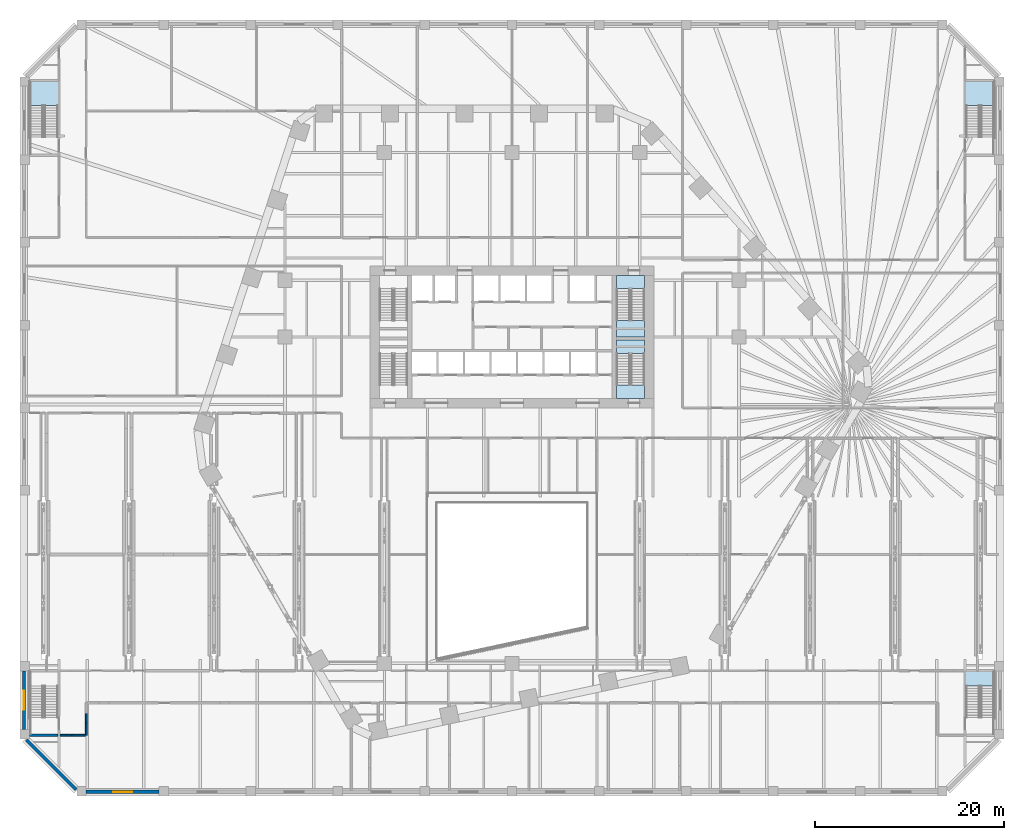
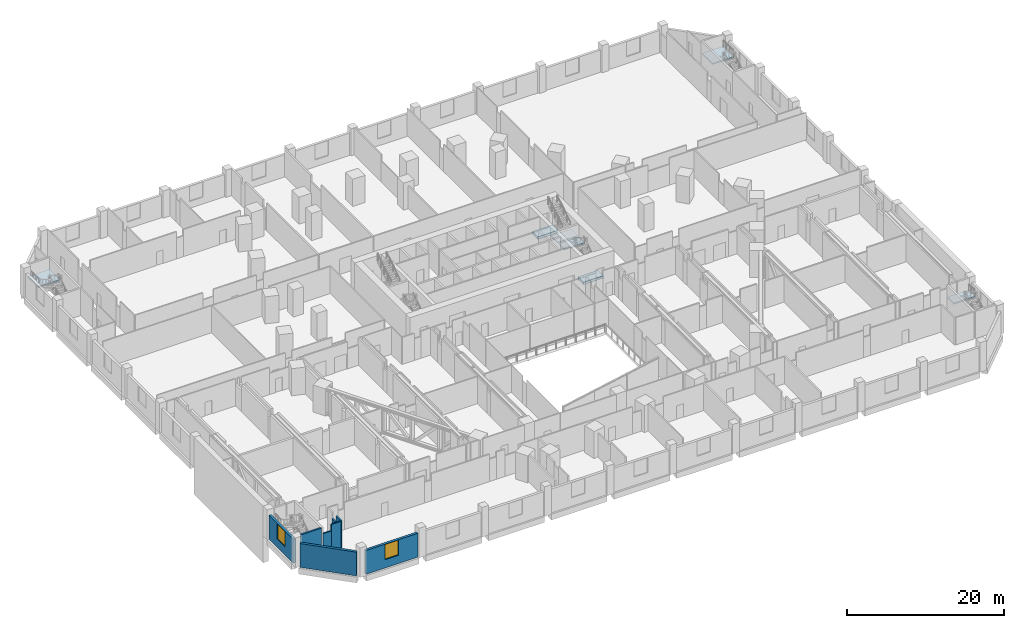
# One storey, part 12 of 32: 8 walls, 7 slabs, 2 windows, 2 openings, 5 elements without a shape of their own.
"""IFC4 building model written with IfcOpenShell, lengths in metres."""

import ifcopenshell
import ifcopenshell.guid

model = None  # the IFC model being written
_history = None  # IfcOwnerHistory: only IFC2X3 demands one
_inside = {}  # id of a spatial element -> (the spatial element, [elements in it])
_under = {}  # id of a project, library or spatial element -> (it, [spatial elements below it])
_declared = {}  # id of a project -> (the project, [libraries it declares])
_typed = {}  # id of a type object -> (the type object, [elements of that type])
_made_of = {}  # id of a material, layer set ... -> (it, [elements and type objects made of it])


def new_model(schema):
    """Start an empty IFC model of exactly this schema.

    Asked for "IFC4X3", IfcOpenShell would pick the latest addendum, in which some entities
    have other attributes; the version numbers below select the first issue.
    IFC2X3 requires an IfcOwnerHistory on every rooted entity: one is made here for all.
    """
    global model, _history
    if schema == "IFC4X3":
        model = ifcopenshell.file(schema_version=(4, 3, 0, 0))
    else:
        model = ifcopenshell.file(schema=schema)
    _inside.clear()
    _under.clear()
    _declared.clear()
    _typed.clear()
    _made_of.clear()
    _history = None
    if model.schema == "IFC2X3":
        org = make("IfcOrganization", Name="unknown")
        user = make(
            "IfcPersonAndOrganization",
            ThePerson=make("IfcPerson", FamilyName="unknown"),
            TheOrganization=org,
        )
        app = make(
            "IfcApplication",
            ApplicationDeveloper=org,
            Version="unknown",
            ApplicationFullName="unknown",
            ApplicationIdentifier="unknown",
        )
        _history = make(
            "IfcOwnerHistory",
            OwningUser=user,
            OwningApplication=app,
            ChangeAction="ADDED",
            CreationDate=0,
        )
    return model


def make(cls, **values):
    """One entity of the class cls with the attributes given. An attribute that is None is left unset."""
    return model.create_entity(
        cls, **{name: value for name, value in values.items() if value is not None}
    )


def rooted(cls, **values):
    """An entity with a GlobalId (a new one), such as an element, a storey or a relation."""
    return make(cls, GlobalId=ifcopenshell.guid.new(), OwnerHistory=_history, **values)


def si_unit(unit_type, name, prefix=None):
    """IfcSIUnit, for example si_unit("LENGTHUNIT", "METRE", prefix="MILLI")."""
    return make("IfcSIUnit", UnitType=unit_type, Prefix=prefix, Name=name)


def assignment(units):
    """IfcUnitAssignment: the units of a project."""
    return None if units is None else make("IfcUnitAssignment", Units=units)


def point(xyz):
    """IfcCartesianPoint."""
    return None if xyz is None else make("IfcCartesianPoint", Coordinates=xyz)


def direction(xyz):
    """IfcDirection."""
    return None if xyz is None else make("IfcDirection", DirectionRatios=xyz)


def frame(location, z_axis=None, x_axis=None):
    """IfcAxis2Placement3D, a coordinate frame: its origin and axes. An axis left out is left unset."""
    return make(
        "IfcAxis2Placement3D",
        Location=point(location),
        Axis=direction(z_axis),
        RefDirection=direction(x_axis),
    )


def frame_2d(location, x_axis=None):
    """IfcAxis2Placement2D, a coordinate frame in the plane: its origin and x axis."""
    return make(
        "IfcAxis2Placement2D", Location=point(location), RefDirection=direction(x_axis)
    )


def origin():
    """The frame at (0, 0, 0) with its axes left unset."""
    return frame((0.0, 0.0, 0.0))


def place(relative_to, where):
    """IfcLocalPlacement: puts the frame where relative to a parent placement (None: the world)."""
    return make(
        "IfcLocalPlacement", PlacementRelTo=relative_to, RelativePlacement=where
    )


def context(
    kind, dimensions, precision=None, world=None, true_north=None, identifier=None
):
    """IfcGeometricRepresentationContext, for example the 3D "Model" context."""
    return make(
        "IfcGeometricRepresentationContext",
        ContextIdentifier=identifier,
        ContextType=kind,
        CoordinateSpaceDimension=dimensions,
        Precision=precision,
        WorldCoordinateSystem=world,
        TrueNorth=true_north,
    )


def subcontext(parent, identifier, kind, view, scale=None):
    """IfcGeometricRepresentationSubContext, for example "Body" below "Model"."""
    return make(
        "IfcGeometricRepresentationSubContext",
        ContextIdentifier=identifier,
        ContextType=kind,
        ParentContext=parent,
        TargetScale=scale,
        TargetView=view,
    )


def project(units=None, contexts=None):
    """IfcProject with its units and contexts."""
    return rooted(
        "IfcProject",
        Name="project",
        RepresentationContexts=contexts,
        UnitsInContext=assignment(units),
    )


def spatial(cls, under=None, at=None, **own):
    """A site, building, storey or space (cls), placed at a placement, below another one or the project."""
    s = rooted(cls, ObjectPlacement=at, **own)
    if under is not None:
        _under.setdefault(under.id(), (under, []))[1].append(s)
    return s


def polyline(points):
    """IfcPolyline through the points."""
    return make("IfcPolyline", Points=[point(p) for p in points])


def profile(cls, at=None, kind="AREA", **sizes):
    """A parametric profile (cls). Its sizes go by their IFC names, for example OverallWidth=200.0."""
    return make(cls, ProfileType=kind, Position=at, **sizes)


def rectangle(**sizes):
    """IfcRectangleProfileDef."""
    return profile("IfcRectangleProfileDef", **sizes)


def outline(outer, holes=None, kind="AREA"):
    """IfcArbitraryClosedProfileDef: a profile drawn as a closed curve; with holes, ...WithVoids."""
    if holes is None:
        return make("IfcArbitraryClosedProfileDef", ProfileType=kind, OuterCurve=outer)
    return make(
        "IfcArbitraryProfileDefWithVoids",
        ProfileType=kind,
        OuterCurve=outer,
        InnerCurves=holes,
    )


def extrude(swept, where, along, depth):
    """IfcExtrudedAreaSolid: the profile swept, set in the frame where, extruded along a direction by depth."""
    return make(
        "IfcExtrudedAreaSolid",
        SweptArea=swept,
        Position=where,
        ExtrudedDirection=direction(along),
        Depth=depth,
    )


def shape(context_of_items, identifier, shape_type, items):
    """IfcShapeRepresentation: the items that make up one representation, for example the "Body"."""
    return make(
        "IfcShapeRepresentation",
        ContextOfItems=context_of_items,
        RepresentationIdentifier=identifier,
        RepresentationType=shape_type,
        Items=items,
    )


def material(Name=None, Category=None):
    """IfcMaterial."""
    return make("IfcMaterial", Name=Name, Category=Category)


def layer(
    of_material, thickness, ventilated=None, Name=None, Category=None, Priority=None
):
    """IfcMaterialLayer: one layer of a wall or slab, of a material (None: an air gap)."""
    return make(
        "IfcMaterialLayer",
        Material=of_material,
        LayerThickness=thickness,
        IsVentilated=ventilated,
        Name=Name,
        Category=Category,
        Priority=Priority,
    )


def layer_set(layers, Name=None):
    """IfcMaterialLayerSet."""
    return make("IfcMaterialLayerSet", MaterialLayers=layers, LayerSetName=Name)


def made_of(thing, what):
    """Note that an element or type object is made of a material, layer set ...; save() writes the relation."""
    if what is not None:
        _made_of.setdefault(what.id(), (what, []))[1].append(thing)
    return thing


def type_object(cls, material=None, **own):
    """A type object (cls), such as IfcWallType, which elements share."""
    return made_of(rooted(cls, **own), material)


def element(
    cls,
    number,
    at=None,
    inside=None,
    cuts=None,
    type_object=None,
    material=None,
    context=None,
    identifier="Body",
    shape_type=None,
    held_by="IfcProductDefinitionShape",
    body=None,
    shapes=None,
    **own,
):
    """One element of the class cls, such as IfcWall. Its Tag is "e" and its number.

    at: its placement. inside: the storey or other place that contains it. cuts: it is an
    opening in that element (IfcRelVoidsElement). A single representation is given by context,
    identifier, shape_type and body (its items); several are given by shapes. held_by: the class
    of the entity that holds the representations. save() writes the other relations.
    """
    e = rooted(cls, Tag="e%d" % number, ObjectPlacement=at, **own)
    if body is not None:
        shapes = [shape(context, identifier, shape_type, body)]
    if shapes is not None:
        e.Representation = make(held_by, Representations=shapes)
    if inside is not None:
        _inside.setdefault(inside.id(), (inside, []))[1].append(e)
    if cuts is not None:
        rooted(
            "IfcRelVoidsElement", RelatingBuildingElement=cuts, RelatedOpeningElement=e
        )
    if type_object is not None:
        _typed.setdefault(type_object.id(), (type_object, []))[1].append(e)
    return made_of(e, material)


def fill(opening, filler):
    """IfcRelFillsElement: the door or window that sits in an opening."""
    return rooted(
        "IfcRelFillsElement",
        RelatingOpeningElement=opening,
        RelatedBuildingElement=filler,
    )


def aggregate(whole, parts):
    """IfcRelAggregates: a whole, such as a stair, and the parts it consists of."""
    return rooted("IfcRelAggregates", RelatingObject=whole, RelatedObjects=parts)


def save(model, path):
    """Write the relations noted so far, then the file.

    IfcRelAggregates (storeys below a building ...), IfcRelContainedInSpatialStructure (elements
    in a storey), IfcRelDefinesByType, IfcRelAssociatesMaterial and IfcRelDeclares: one each for
    every whole, place, type object, material and project.
    """
    for whole, parts in _under.values():
        aggregate(whole, parts)
    for where, things in _inside.values():
        rooted(
            "IfcRelContainedInSpatialStructure",
            RelatedElements=things,
            RelatingStructure=where,
        )
    for kind, things in _typed.values():
        rooted("IfcRelDefinesByType", RelatedObjects=things, RelatingType=kind)
    for what, things in _made_of.values():
        rooted("IfcRelAssociatesMaterial", RelatedObjects=things, RelatingMaterial=what)
    for by, libraries in _declared.values():
        rooted("IfcRelDeclares", RelatingContext=by, RelatedDefinitions=libraries)
    model.write(path)


model = new_model("IFC4")

# Units and contexts
model_context = context("Model", 3, precision=1e-05, world=origin(), true_north=direction((0.0, 1.0)))
body_context = subcontext(model_context, "Body", "Model", "MODEL_VIEW")
ifc_project = project(units=[si_unit("LENGTHUNIT", "METRE"), si_unit("AREAUNIT", "SQUARE_METRE"), si_unit("VOLUMEUNIT", "CUBIC_METRE"), si_unit("PLANEANGLEUNIT", "RADIAN"), si_unit("MASSUNIT", "GRAM", prefix="KILO")], contexts=[model_context])

# Site, building, storey
site_placement = place(None, origin())
site = spatial("IfcSite", under=ifc_project, at=site_placement, CompositionType="ELEMENT")
building_placement = place(site_placement, origin())
building = spatial("IfcBuilding", under=site, at=building_placement, Name="Isthmus Gate Tower", CompositionType="ELEMENT")
storey_placement = place(building_placement, frame((0.0, 0.0, 18.0)))
storey = spatial("IfcBuildingStorey", under=building, at=storey_placement, Name="L02", CompositionType="ELEMENT", Elevation=18.0)

# Slabs
ifc_material_1 = material(Name="Concrete f'c 40 MPa", Category="concrete")
ifc_layer_1 = layer(ifc_material_1, 0.39990234375)
ifc_layer_set_1 = layer_set([ifc_layer_1], Name="CORE FLOOR SLAB 400")
slab_type_1 = type_object("IfcSlabType", Name="CORE FLOOR SLAB 400", PredefinedType="FLOOR", material=ifc_layer_set_1)
slab_1_placement = place(storey_placement, frame((0.0, 0.0, -0.39990234375)))
element("IfcSlab", 1, at=slab_1_placement, inside=storey, type_object=slab_type_1, Name="L02 core floor", PredefinedType="FLOOR", context=body_context, shape_type="SweptSolid", body=[
    extrude(outline(polyline([(14.0, 1.0), (14.0, 2.402099609375), (11.050048828125, 2.402099609375), (11.050048828125, 1.0), (14.0, 1.0)])), origin(), (0.0, 0.0, 1.0), 0.39990234375),
])
slab_2_placement = place(storey_placement, frame((0.0, 0.0, -0.39990234375)))
element("IfcSlab", 2, at=slab_2_placement, inside=storey, type_object=slab_type_1, Name="L02 core floor", PredefinedType="FLOOR", context=body_context, shape_type="SweptSolid", body=[
    extrude(outline(polyline([(11.050048828125, 14.0), (11.050048828125, 12.597900390625), (14.0, 12.597900390625), (14.0, 14.0), (11.050048828125, 14.0)])), origin(), (0.0, 0.0, 1.0), 0.39990234375),
])

# Stair, slab
ifc_material_2 = material(Name="Concrete f'c 40 MPa", Category="concrete")
stair_type_1 = type_object("IfcStairType", Name="Podium exit stair 1400 wide flights", PredefinedType="HALF_TURN_STAIR", material=ifc_material_2)
stair_1_placement = place(storey_placement, origin())
stair_1 = element("IfcStair", 3, at=stair_1_placement, inside=storey, type_object=stair_type_1, Name="L02 Podium Exit Stair ST4", PredefinedType="HALF_TURN_STAIR")
ifc_material_3 = material(Name="Concrete f'c 40 MPa", Category="concrete")
ifc_layer_2 = layer(ifc_material_3, 0.199951171875)
ifc_layer_set_2 = layer_set([ifc_layer_2], Name="Podium stair landing 200")
slab_type_2 = type_object("IfcSlabType", Name="Podium stair landing 200", PredefinedType="LANDING", material=ifc_layer_set_2)
slab_3_placement = place(storey_placement, frame((0.0, 0.0, 2.050048828125)))
slab_3 = element("IfcSlab", 4, at=slab_3_placement, type_object=slab_type_2, Name="ST4 landing 1", PredefinedType="LANDING", context=body_context, shape_type="SweptSolid", body=[
    extrude(outline(polyline([(51.050048828125, -29.364990234375), (51.050048828125, -27.72900390625), (47.89990234375, -27.72900390625), (47.89990234375, -29.364990234375), (51.050048828125, -29.364990234375)])), origin(), (0.0, 0.0, 1.0), 0.199951171875),
])
aggregate(stair_1, [slab_3])

stair_2_placement = place(storey_placement, origin())
stair_2 = element("IfcStair", 5, at=stair_2_placement, inside=storey, type_object=stair_type_1, Name="L02 Podium Exit Stair ST5", PredefinedType="HALF_TURN_STAIR")
slab_4_placement = place(storey_placement, frame((0.0, 0.0, 2.050048828125)))
slab_4 = element("IfcSlab", 6, at=slab_4_placement, type_object=slab_type_2, Name="ST5 landing 1", PredefinedType="LANDING", context=body_context, shape_type="SweptSolid", body=[
    extrude(outline(polyline([(51.050048828125, 31.985107421875), (51.050048828125, 34.625), (47.89990234375, 34.625), (47.89990234375, 31.985107421875), (51.050048828125, 31.985107421875)])), origin(), (0.0, 0.0, 1.0), 0.199951171875),
])
aggregate(stair_2, [slab_4])

stair_3_placement = place(storey_placement, origin())
stair_3 = element("IfcStair", 7, at=stair_3_placement, inside=storey, type_object=stair_type_1, Name="L02 Podium Exit Stair ST6", PredefinedType="HALF_TURN_STAIR")
slab_5_placement = place(storey_placement, frame((0.0, 0.0, 2.050048828125)))
slab_5 = element("IfcSlab", 8, at=slab_5_placement, type_object=slab_type_2, Name="ST6 landing 1", PredefinedType="LANDING", context=body_context, shape_type="SweptSolid", body=[
    extrude(outline(polyline([(-47.89990234375, 31.985107421875), (-47.89990234375, 34.625), (-51.050048828125, 34.625), (-51.050048828125, 31.985107421875), (-47.89990234375, 31.985107421875)])), origin(), (0.0, 0.0, 1.0), 0.199951171875),
])
aggregate(stair_3, [slab_5])

ifc_material_4 = material(Name="Concrete f'c 40 MPa", Category="concrete")
stair_type_2 = type_object("IfcStairType", Name="CORE STAIR 26 RISERS", PredefinedType="HALF_TURN_STAIR", material=ifc_material_4)
stair_4_placement = place(storey_placement, origin())
stair_4 = element("IfcStair", 9, at=stair_4_placement, inside=storey, type_object=stair_type_2, Name="L02 Exit Stair 2", PredefinedType="HALF_TURN_STAIR")
ifc_material_5 = material(Name="Concrete f'c 40 MPa", Category="concrete")
ifc_layer_3 = layer(ifc_material_5, 0.199951171875)
ifc_layer_set_3 = layer_set([ifc_layer_3])
slab_type_3 = type_object("IfcSlabType", Name="STAIR LANDING RC 200", PredefinedType="LANDING", material=ifc_layer_set_3)
slab_6_placement = place(storey_placement, frame((0.0, 0.0, 2.050048828125)))
slab_6 = element("IfcSlab", 10, at=slab_6_placement, type_object=slab_type_3, Name="ST2 landing 1", PredefinedType="LANDING", context=body_context, shape_type="SweptSolid", body=[
    extrude(outline(polyline([(11.050048828125, 9.239990234375), (11.050048828125, 7.5), (14.0, 7.5), (14.0, 9.239990234375), (11.050048828125, 9.239990234375)])), origin(), (0.0, 0.0, 1.0), 0.199951171875),
])
aggregate(stair_4, [slab_6])

stair_5_placement = place(storey_placement, origin())
stair_5 = element("IfcStair", 11, at=stair_5_placement, inside=storey, type_object=stair_type_2, Name="L02 Exit Stair 8", PredefinedType="HALF_TURN_STAIR")
slab_7_placement = place(storey_placement, frame((0.0, 0.0, 2.050048828125)))
slab_7 = element("IfcSlab", 12, at=slab_7_placement, type_object=slab_type_3, Name="ST8 landing 1", PredefinedType="LANDING", context=body_context, shape_type="SweptSolid", body=[
    extrude(outline(polyline([(14.0, 5.760009765625), (14.0, 7.199951171875), (11.050048828125, 7.199951171875), (11.050048828125, 5.760009765625), (14.0, 5.760009765625)])), origin(), (0.0, 0.0, 1.0), 0.199951171875),
])
aggregate(stair_5, [slab_7])

# Walls
ifc_material_6 = material(Name="Concrete f'c 30 MPa", Category="concrete")
ifc_layer_4 = layer(ifc_material_6, 0.199951171875)
ifc_layer_set_4 = layer_set([ifc_layer_4], Name="Fire-rated block wall 200")
wall_type_1 = type_object("IfcWallType", Name="Fire-rated block wall 200", PredefinedType="PARTITIONING", material=ifc_layer_set_4)
wall_1_placement = place(storey_placement, frame((-47.75, -34.60009765625, 0.0), z_axis=(0.0, 0.0, 1.0), x_axis=(1.0, 0.0, 0.0)))
element("IfcWall", 13, at=wall_1_placement, inside=storey, type_object=wall_type_1, Name="Fire-rated wall", PredefinedType="PARTITIONING", context=body_context, shape_type="SweptSolid", body=[
    extrude(rectangle(XDim=1.21337890625, YDim=0.199951171875, at=frame_2d((0.606689453125, 0.0))), origin(), (0.0, 0.0, 1.0), 3.218994140625),
])
wall_2_placement = place(storey_placement, frame((-46.53662109375, -34.60009765625, 0.0), z_axis=(0.0, 0.0, 1.0), x_axis=(1.0, 0.0, 0.0)))
element("IfcWall", 14, at=wall_2_placement, inside=storey, type_object=wall_type_1, Name="Fire-rated wall", PredefinedType="PARTITIONING", context=body_context, shape_type="SweptSolid", body=[
    extrude(rectangle(XDim=1.4365234375, YDim=0.199951171875, at=frame_2d((0.71826171875, 0.0))), origin(), (0.0, 0.0, 1.0), 4.199951171875),
])
wall_3_placement = place(storey_placement, frame((-45.0, -34.60009765625, 0.0), z_axis=(0.0, 0.0, 1.0), x_axis=(0.0, 1.0, 0.0)))
element("IfcWall", 15, at=wall_3_placement, inside=storey, type_object=wall_type_1, Name="Fire-rated wall", PredefinedType="PARTITIONING", context=body_context, shape_type="SweptSolid", body=[
    extrude(rectangle(XDim=1.279296875, YDim=0.199951171875, at=frame_2d((0.6396484375, 0.0))), origin(), (0.0, 0.0, 1.0), 4.199951171875),
])
wall_4_placement = place(storey_placement, frame((-45.0, -33.32080078125, 0.0), z_axis=(0.0, 0.0, 1.0), x_axis=(0.0, 1.0, 0.0)))
element("IfcWall", 16, at=wall_4_placement, inside=storey, type_object=wall_type_1, Name="Fire-rated wall", PredefinedType="PARTITIONING", context=body_context, shape_type="SweptSolid", body=[
    extrude(rectangle(XDim=1.0, YDim=0.199951171875, at=frame_2d((0.5, 0.0))), origin(), (0.0, 0.0, 1.0), 3.218994140625),
])

# Wall, opening, window
ifc_material_7 = material(Name="Precast concrete C40/50, limestone-faced", Category="masonry")
ifc_layer_5 = layer(ifc_material_7, 0.35009765625)
ifc_layer_set_5 = layer_set([ifc_layer_5], Name="PODIUM CLADDING WALL 350")
wall_type_2 = type_object("IfcWallType", Name="PODIUM CLADDING WALL 350", PredefinedType="SOLIDWALL", material=ifc_layer_set_5)
wall_5_placement = place(storey_placement, frame((-45.0, -40.574951171875, -0.39990234375), z_axis=(0.0, 0.0, 1.0), x_axis=(1.0, 0.0, 0.0)))
wall_5 = element("IfcWall", 17, at=wall_5_placement, inside=storey, type_object=wall_type_2, Name="PODIUM WALL", PredefinedType="SOLIDWALL", context=body_context, shape_type="SweptSolid", body=[
    extrude(rectangle(XDim=7.699951171875, YDim=0.35009765625, at=frame_2d((3.85009765625, 0.0))), origin(), (0.0, 0.0, 1.0), 3.699951171875),
])
opening_1_placement = place(wall_5_placement, frame((2.85009765625, 0.0, 1.300048828125)))
opening_1 = element("IfcOpeningElement", 18, at=opening_1_placement, cuts=wall_5, Name="Opening W001", PredefinedType="OPENING", context=body_context, shape_type="SweptSolid", body=[
    extrude(rectangle(XDim=2.0, YDim=2.35009765625, at=frame_2d((1.0, 1.175048828125))), frame((0.0, 0.18505859375, 0.0), z_axis=(0.0, -1.0, 0.0), x_axis=(1.0, 0.0, 0.0)), (0.0, 0.0, 1.0), 0.3701171875),
])
ifc_material_8 = material(Name="Aluminium, pale champagne anodised, laminated glass", Category="aluminium")
window_type = type_object("IfcWindowType", Name="PODIUM SLOT WINDOW 2000 X 2350", PartitioningType="SINGLE_PANEL", PredefinedType="WINDOW", material=ifc_material_8)
window_1_placement = place(opening_1_placement, origin())
window_1 = element("IfcWindow", 19, at=window_1_placement, inside=storey, type_object=window_type, Name="SLOT WINDOW", OverallHeight=2.35009765625, OverallWidth=2.0, PartitioningType="SINGLE_PANEL", PredefinedType="WINDOW", context=body_context, shape_type="SweptSolid", body=[
    extrude(rectangle(XDim=2.0, YDim=2.35009765625, at=frame_2d((1.0, 1.175048828125))), frame((0.0, 0.030029296875, 0.0), z_axis=(0.0, -1.0, 0.0), x_axis=(1.0, 0.0, 0.0)), (0.0, 0.0, 1.0), 0.06005859375),
])
fill(opening_1, window_1)

wall_6_placement = place(storey_placement, frame((-51.574951171875, -27.800048828125, -0.39990234375), z_axis=(0.0, 0.0, 1.0), x_axis=(0.0, -1.0, 0.0)))
wall_6 = element("IfcWall", 20, at=wall_6_placement, inside=storey, type_object=wall_type_2, Name="PODIUM WALL", PredefinedType="SOLIDWALL", context=body_context, shape_type="SweptSolid", body=[
    extrude(rectangle(XDim=6.199951171875, YDim=0.35009765625, at=frame_2d((3.10009765625, 0.0))), origin(), (0.0, 0.0, 1.0), 3.699951171875),
])
opening_2_placement = place(wall_6_placement, frame((2.10009765625, 0.0, 1.300048828125)))
opening_2 = element("IfcOpeningElement", 21, at=opening_2_placement, cuts=wall_6, Name="Opening W032", PredefinedType="OPENING", context=body_context, shape_type="SweptSolid", body=[
    extrude(rectangle(XDim=2.0, YDim=2.35009765625, at=frame_2d((1.0, 1.175048828125))), frame((0.0, 0.18505859375, 0.0), z_axis=(0.0, -1.0, 0.0), x_axis=(1.0, 0.0, 0.0)), (0.0, 0.0, 1.0), 0.3701171875),
])
window_2_placement = place(opening_2_placement, origin())
window_2 = element("IfcWindow", 22, at=window_2_placement, inside=storey, type_object=window_type, Name="SLOT WINDOW", OverallHeight=2.35009765625, OverallWidth=2.0, PartitioningType="SINGLE_PANEL", PredefinedType="WINDOW", context=body_context, shape_type="SweptSolid", body=[
    extrude(rectangle(XDim=2.0, YDim=2.35009765625, at=frame_2d((1.0, 1.175048828125))), frame((0.0, 0.030029296875, 0.0), z_axis=(0.0, -1.0, 0.0), x_axis=(1.0, 0.0, 0.0)), (0.0, 0.0, 1.0), 0.06005859375),
])
fill(opening_2, window_2)

# Walls
wall_7_placement = place(storey_placement, frame((-51.327392578125, -35.071533203125, -0.39990234375), z_axis=(0.0, 0.0, 1.0), x_axis=(0.707106781187, -0.707106781187, 0.0)))
element("IfcWall", 23, at=wall_7_placement, inside=storey, type_object=wall_type_2, Name="PODIUM WALL", PredefinedType="SOLIDWALL", context=body_context, shape_type="SweptSolid", body=[
    extrude(rectangle(XDim=7.432861328125, YDim=0.35009765625, at=frame_2d((3.71630859375, 0.0))), origin(), (0.0, 0.0, 1.0), 3.699951171875),
])
ifc_material_9 = material(Name="Concrete f'c 40 MPa", Category="concrete")
ifc_layer_6 = layer(ifc_material_9, 0.25)
ifc_layer_set_6 = layer_set([ifc_layer_6])
wall_type_3 = type_object("IfcWallType", Name="Stair shaft wall 250 reinforced concrete", PredefinedType="SHEAR", material=ifc_layer_set_6)
wall_8_placement = place(storey_placement, frame((-51.0, -34.60009765625, 0.0), z_axis=(0.0, 0.0, 1.0), x_axis=(1.0, 0.0, 0.0)))
element("IfcWall", 24, at=wall_8_placement, inside=storey, type_object=wall_type_3, Name="Stair shaft wall", PredefinedType="SHEAR", context=body_context, shape_type="SweptSolid", body=[
    extrude(rectangle(XDim=3.0, YDim=0.25, at=frame_2d((1.5, 0.0))), origin(), (0.0, 0.0, 1.0), 4.199951171875),
])

save(model, "model.ifc")
